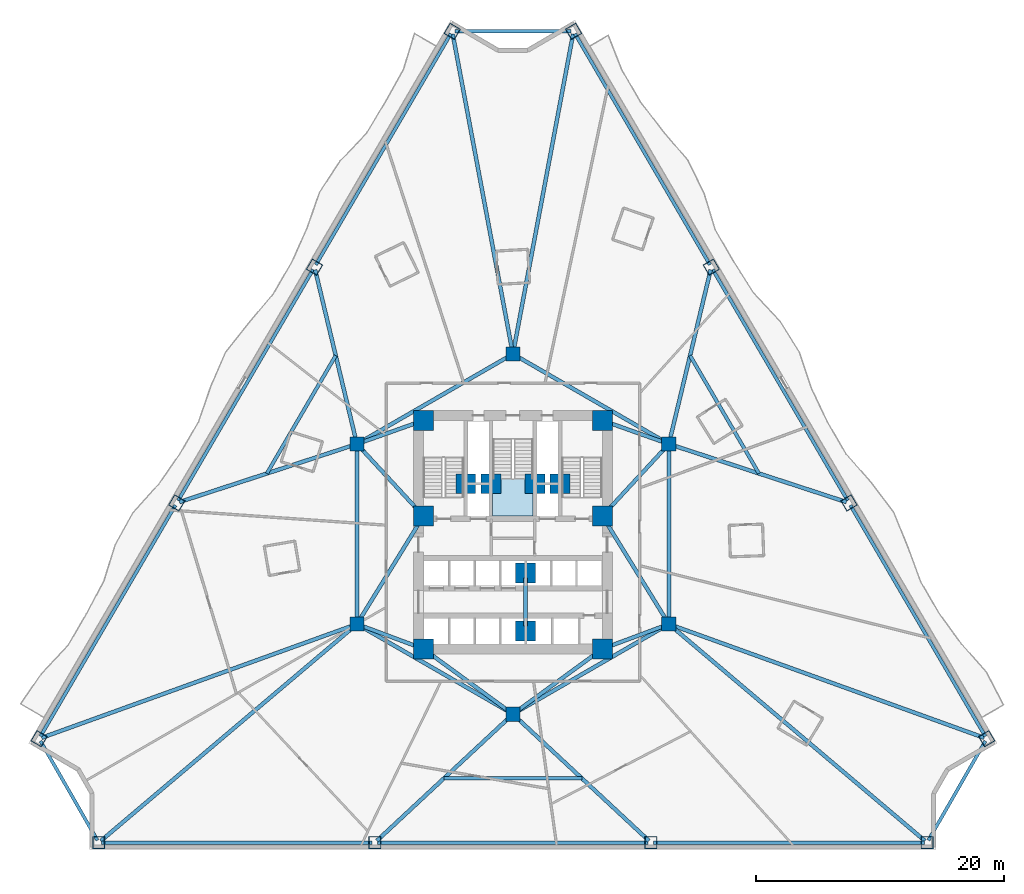
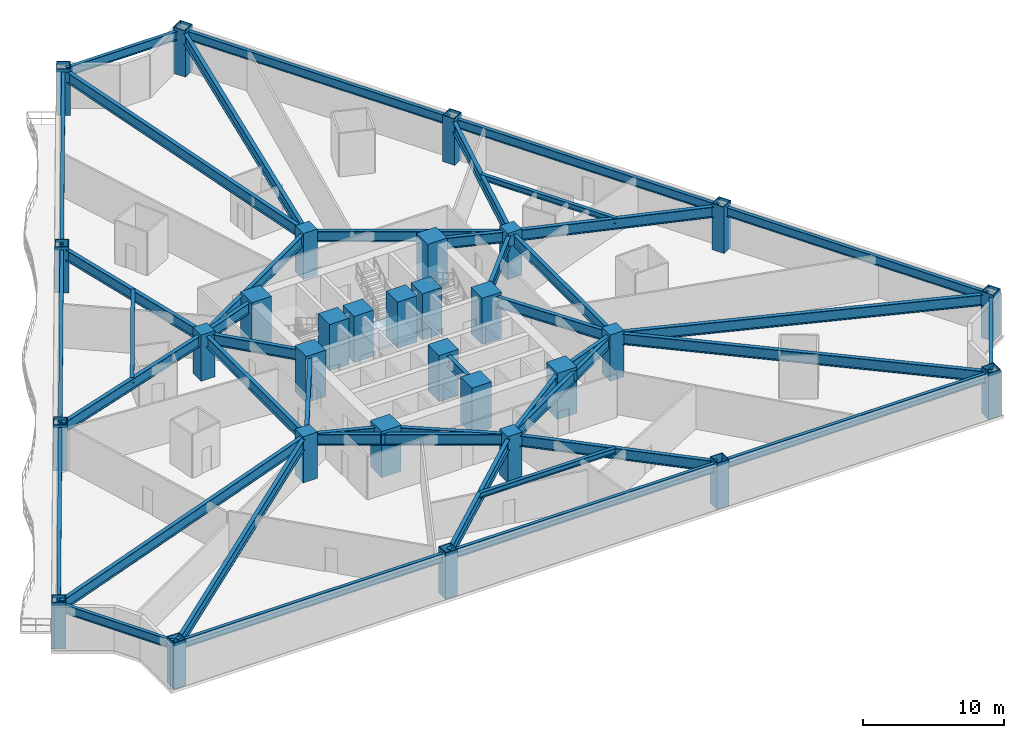
# One storey, part 1 of 11: 44 beams, 30 columns, 1 slab, 1 element without a shape of its own.
"""IFC4 building model written with IfcOpenShell, lengths in metres."""

import ifcopenshell
import ifcopenshell.guid

model = None  # the IFC model being written
_history = None  # IfcOwnerHistory: only IFC2X3 demands one
_inside = {}  # id of a spatial element -> (the spatial element, [elements in it])
_under = {}  # id of a project, library or spatial element -> (it, [spatial elements below it])
_declared = {}  # id of a project -> (the project, [libraries it declares])
_typed = {}  # id of a type object -> (the type object, [elements of that type])
_made_of = {}  # id of a material, layer set ... -> (it, [elements and type objects made of it])


def new_model(schema):
    """Start an empty IFC model of exactly this schema.

    Asked for "IFC4X3", IfcOpenShell would pick the latest addendum, in which some entities
    have other attributes; the version numbers below select the first issue.
    IFC2X3 requires an IfcOwnerHistory on every rooted entity: one is made here for all.
    """
    global model, _history
    if schema == "IFC4X3":
        model = ifcopenshell.file(schema_version=(4, 3, 0, 0))
    else:
        model = ifcopenshell.file(schema=schema)
    _inside.clear()
    _under.clear()
    _declared.clear()
    _typed.clear()
    _made_of.clear()
    _history = None
    if model.schema == "IFC2X3":
        org = make("IfcOrganization", Name="unknown")
        user = make(
            "IfcPersonAndOrganization",
            ThePerson=make("IfcPerson", FamilyName="unknown"),
            TheOrganization=org,
        )
        app = make(
            "IfcApplication",
            ApplicationDeveloper=org,
            Version="unknown",
            ApplicationFullName="unknown",
            ApplicationIdentifier="unknown",
        )
        _history = make(
            "IfcOwnerHistory",
            OwningUser=user,
            OwningApplication=app,
            ChangeAction="ADDED",
            CreationDate=0,
        )
    return model


def make(cls, **values):
    """One entity of the class cls with the attributes given. An attribute that is None is left unset."""
    return model.create_entity(
        cls, **{name: value for name, value in values.items() if value is not None}
    )


def rooted(cls, **values):
    """An entity with a GlobalId (a new one), such as an element, a storey or a relation."""
    return make(cls, GlobalId=ifcopenshell.guid.new(), OwnerHistory=_history, **values)


def si_unit(unit_type, name, prefix=None):
    """IfcSIUnit, for example si_unit("LENGTHUNIT", "METRE", prefix="MILLI")."""
    return make("IfcSIUnit", UnitType=unit_type, Prefix=prefix, Name=name)


def assignment(units):
    """IfcUnitAssignment: the units of a project."""
    return None if units is None else make("IfcUnitAssignment", Units=units)


def point(xyz):
    """IfcCartesianPoint."""
    return None if xyz is None else make("IfcCartesianPoint", Coordinates=xyz)


def direction(xyz):
    """IfcDirection."""
    return None if xyz is None else make("IfcDirection", DirectionRatios=xyz)


def frame(location, z_axis=None, x_axis=None):
    """IfcAxis2Placement3D, a coordinate frame: its origin and axes. An axis left out is left unset."""
    return make(
        "IfcAxis2Placement3D",
        Location=point(location),
        Axis=direction(z_axis),
        RefDirection=direction(x_axis),
    )


def frame_2d(location, x_axis=None):
    """IfcAxis2Placement2D, a coordinate frame in the plane: its origin and x axis."""
    return make(
        "IfcAxis2Placement2D", Location=point(location), RefDirection=direction(x_axis)
    )


def origin():
    """The frame at (0, 0, 0) with its axes left unset."""
    return frame((0.0, 0.0, 0.0))


def origin_2d():
    """The frame at (0, 0) in the plane with its x axis left unset."""
    return frame_2d((0.0, 0.0))


def place(relative_to, where):
    """IfcLocalPlacement: puts the frame where relative to a parent placement (None: the world)."""
    return make(
        "IfcLocalPlacement", PlacementRelTo=relative_to, RelativePlacement=where
    )


def context(
    kind, dimensions, precision=None, world=None, true_north=None, identifier=None
):
    """IfcGeometricRepresentationContext, for example the 3D "Model" context."""
    return make(
        "IfcGeometricRepresentationContext",
        ContextIdentifier=identifier,
        ContextType=kind,
        CoordinateSpaceDimension=dimensions,
        Precision=precision,
        WorldCoordinateSystem=world,
        TrueNorth=true_north,
    )


def subcontext(parent, identifier, kind, view, scale=None):
    """IfcGeometricRepresentationSubContext, for example "Body" below "Model"."""
    return make(
        "IfcGeometricRepresentationSubContext",
        ContextIdentifier=identifier,
        ContextType=kind,
        ParentContext=parent,
        TargetScale=scale,
        TargetView=view,
    )


def project(units=None, contexts=None):
    """IfcProject with its units and contexts."""
    return rooted(
        "IfcProject",
        Name="project",
        RepresentationContexts=contexts,
        UnitsInContext=assignment(units),
    )


def spatial(cls, under=None, at=None, **own):
    """A site, building, storey or space (cls), placed at a placement, below another one or the project."""
    s = rooted(cls, ObjectPlacement=at, **own)
    if under is not None:
        _under.setdefault(under.id(), (under, []))[1].append(s)
    return s


def polyline(points):
    """IfcPolyline through the points."""
    return make("IfcPolyline", Points=[point(p) for p in points])


def profile(cls, at=None, kind="AREA", **sizes):
    """A parametric profile (cls). Its sizes go by their IFC names, for example OverallWidth=200.0."""
    return make(cls, ProfileType=kind, Position=at, **sizes)


def rectangle(**sizes):
    """IfcRectangleProfileDef."""
    return profile("IfcRectangleProfileDef", **sizes)


def hollow_rectangle(**sizes):
    """IfcRectangleHollowProfileDef."""
    return profile("IfcRectangleHollowProfileDef", **sizes)


def i_section(**sizes):
    """IfcIShapeProfileDef."""
    return profile("IfcIShapeProfileDef", **sizes)


def outline(outer, holes=None, kind="AREA"):
    """IfcArbitraryClosedProfileDef: a profile drawn as a closed curve; with holes, ...WithVoids."""
    if holes is None:
        return make("IfcArbitraryClosedProfileDef", ProfileType=kind, OuterCurve=outer)
    return make(
        "IfcArbitraryProfileDefWithVoids",
        ProfileType=kind,
        OuterCurve=outer,
        InnerCurves=holes,
    )


def extrude(swept, where, along, depth):
    """IfcExtrudedAreaSolid: the profile swept, set in the frame where, extruded along a direction by depth."""
    return make(
        "IfcExtrudedAreaSolid",
        SweptArea=swept,
        Position=where,
        ExtrudedDirection=direction(along),
        Depth=depth,
    )


def shape(context_of_items, identifier, shape_type, items):
    """IfcShapeRepresentation: the items that make up one representation, for example the "Body"."""
    return make(
        "IfcShapeRepresentation",
        ContextOfItems=context_of_items,
        RepresentationIdentifier=identifier,
        RepresentationType=shape_type,
        Items=items,
    )


def material(Name=None, Category=None):
    """IfcMaterial."""
    return make("IfcMaterial", Name=Name, Category=Category)


def layer(
    of_material, thickness, ventilated=None, Name=None, Category=None, Priority=None
):
    """IfcMaterialLayer: one layer of a wall or slab, of a material (None: an air gap)."""
    return make(
        "IfcMaterialLayer",
        Material=of_material,
        LayerThickness=thickness,
        IsVentilated=ventilated,
        Name=Name,
        Category=Category,
        Priority=Priority,
    )


def layer_set(layers, Name=None):
    """IfcMaterialLayerSet."""
    return make("IfcMaterialLayerSet", MaterialLayers=layers, LayerSetName=Name)


def material_profile(
    of_material, cross_section, Name=None, Category=None, Priority=None
):
    """IfcMaterialProfile: a cross section and its material."""
    return make(
        "IfcMaterialProfile",
        Name=Name,
        Material=of_material,
        Profile=cross_section,
        Priority=Priority,
        Category=Category,
    )


def profile_set(profiles, Name=None, composite=None):
    """IfcMaterialProfileSet."""
    return make(
        "IfcMaterialProfileSet",
        Name=Name,
        MaterialProfiles=profiles,
        CompositeProfile=composite,
    )


def made_of(thing, what):
    """Note that an element or type object is made of a material, layer set ...; save() writes the relation."""
    if what is not None:
        _made_of.setdefault(what.id(), (what, []))[1].append(thing)
    return thing


def type_object(cls, material=None, **own):
    """A type object (cls), such as IfcWallType, which elements share."""
    return made_of(rooted(cls, **own), material)


def element(
    cls,
    number,
    at=None,
    inside=None,
    cuts=None,
    type_object=None,
    material=None,
    context=None,
    identifier="Body",
    shape_type=None,
    held_by="IfcProductDefinitionShape",
    body=None,
    shapes=None,
    **own,
):
    """One element of the class cls, such as IfcWall. Its Tag is "e" and its number.

    at: its placement. inside: the storey or other place that contains it. cuts: it is an
    opening in that element (IfcRelVoidsElement). A single representation is given by context,
    identifier, shape_type and body (its items); several are given by shapes. held_by: the class
    of the entity that holds the representations. save() writes the other relations.
    """
    e = rooted(cls, Tag="e%d" % number, ObjectPlacement=at, **own)
    if body is not None:
        shapes = [shape(context, identifier, shape_type, body)]
    if shapes is not None:
        e.Representation = make(held_by, Representations=shapes)
    if inside is not None:
        _inside.setdefault(inside.id(), (inside, []))[1].append(e)
    if cuts is not None:
        rooted(
            "IfcRelVoidsElement", RelatingBuildingElement=cuts, RelatedOpeningElement=e
        )
    if type_object is not None:
        _typed.setdefault(type_object.id(), (type_object, []))[1].append(e)
    return made_of(e, material)


def aggregate(whole, parts):
    """IfcRelAggregates: a whole, such as a stair, and the parts it consists of."""
    return rooted("IfcRelAggregates", RelatingObject=whole, RelatedObjects=parts)


def save(model, path):
    """Write the relations noted so far, then the file.

    IfcRelAggregates (storeys below a building ...), IfcRelContainedInSpatialStructure (elements
    in a storey), IfcRelDefinesByType, IfcRelAssociatesMaterial and IfcRelDeclares: one each for
    every whole, place, type object, material and project.
    """
    for whole, parts in _under.values():
        aggregate(whole, parts)
    for where, things in _inside.values():
        rooted(
            "IfcRelContainedInSpatialStructure",
            RelatedElements=things,
            RelatingStructure=where,
        )
    for kind, things in _typed.values():
        rooted("IfcRelDefinesByType", RelatedObjects=things, RelatingType=kind)
    for what, things in _made_of.values():
        rooted("IfcRelAssociatesMaterial", RelatedObjects=things, RelatingMaterial=what)
    for by, libraries in _declared.values():
        rooted("IfcRelDeclares", RelatingContext=by, RelatedDefinitions=libraries)
    model.write(path)


model = new_model("IFC4")

# Units and contexts
model_context = context("Model", 3, precision=1e-05, world=origin(), true_north=direction((0.0, 1.0)))
body_context = subcontext(model_context, "Body", "Model", "MODEL_VIEW")
ifc_project = project(units=[si_unit("LENGTHUNIT", "METRE"), si_unit("AREAUNIT", "SQUARE_METRE"), si_unit("VOLUMEUNIT", "CUBIC_METRE"), si_unit("PLANEANGLEUNIT", "RADIAN"), si_unit("MASSUNIT", "GRAM", prefix="KILO")], contexts=[model_context])

# Site, building, storey
site_placement = place(None, origin())
site = spatial("IfcSite", under=ifc_project, at=site_placement, CompositionType="ELEMENT")
building_placement = place(site_placement, origin())
building = spatial("IfcBuilding", under=site, at=building_placement, Name="Apsidion Concourse Tower", CompositionType="ELEMENT")
storey_placement = place(building_placement, frame((0.0, 0.0, 54.39990234375)))
storey = spatial("IfcBuildingStorey", under=building, at=storey_placement, Name="L11", CompositionType="ELEMENT", Elevation=54.39990234375)

# Columns
ifc_material_1 = material(Name="Structural steel ASTM A572 Grade 50", Category="steel")
ifc_material_profile_1 = material_profile(ifc_material_1, hollow_rectangle(XDim=1.0, YDim=1.0, WallThickness=0.06005859375, at=origin_2d()), Name="BOX1000X1000X60")
ifc_profile_set_1 = profile_set([ifc_material_profile_1], Name="Structural steel ASTM A572 Grade 50")
column_type_1 = type_object("IfcColumnType", Name="COL-BOX-1000", PredefinedType="COLUMN", material=ifc_profile_set_1)
for number, where, z_axis, x_axis, name in (
    (1, (-4.887451171875, 40.481201171875, 0.0), (0.0, 0.0, 1.0), (0.50437692518, 0.863483594138, 0.0), "L11 Rotated Perimeter Column PC01"),
    (2, (-15.976318359375, 21.49365234375, 0.0), (0.0, 0.0, 1.0), (0.50437692518, 0.863483594138, 0.0), "L11 Rotated Perimeter Column PC02"),
    (3, (-27.065185546875, 2.50634765625, 0.0), (0.0, 0.0, 1.0), (0.50437692518, 0.863483594138, 0.0), "L11 Rotated Perimeter Column PC03"),
    (4, (-38.154052734375, -16.481201171875, 0.0), (0.0, 0.0, 1.0), (0.50437692518, 0.863483594138, 0.0), "L11 Rotated Perimeter Column PC04"),
    (5, (-33.35009765625, -24.85009765625, 0.0), (0.0, 0.0, 1.0), (1.0, 0.0, 0.0), "L11 Rotated Perimeter Column PC05"),
    (6, (-11.11669921875, -24.85009765625, 0.0), (0.0, 0.0, 1.0), (1.0, 0.0, 0.0), "L11 Rotated Perimeter Column PC06"),
    (7, (11.11669921875, -24.85009765625, 0.0), (0.0, 0.0, 1.0), (1.0, 0.0, 0.0), "L11 Rotated Perimeter Column PC07"),
    (8, (33.35009765625, -24.85009765625, 0.0), (0.0, 0.0, 1.0), (1.0, 0.0, 0.0), "L11 Rotated Perimeter Column PC08"),
    (9, (38.154052734375, -16.481201171875, 0.0), (0.0, 0.0, 1.0), (-0.50437692518, 0.863483594138, 0.0), "L11 Rotated Perimeter Column PC09"),
    (10, (27.065185546875, 2.50634765625, 0.0), (0.0, 0.0, 1.0), (-0.50437692518, 0.863483594138, 0.0), "L11 Rotated Perimeter Column PC10"),
    (11, (15.976318359375, 21.49365234375, 0.0), (0.0, 0.0, 1.0), (-0.50437692518, 0.863483594138, 0.0), "L11 Rotated Perimeter Column PC11"),
    (12, (4.887451171875, 40.481201171875, 0.0), (0.0, 0.0, 1.0), (-0.50437692518, 0.863483594138, 0.0), "L11 Rotated Perimeter Column PC12"),
):
    element("IfcColumn", number, at=place(storey_placement, frame(where, z_axis=z_axis, x_axis=x_axis)), inside=storey, type_object=column_type_1, Name=name, PredefinedType="COLUMN", context=body_context, shape_type="SweptSolid", body=[
        extrude(hollow_rectangle(XDim=1.0, YDim=1.0, WallThickness=0.06005859375, at=origin_2d()), origin(), (0.0, 0.0, 1.0), 4.0),
    ])
ifc_material_2 = material(Name="Concrete C50/60", Category="concrete")
ifc_material_profile_2 = material_profile(ifc_material_2, rectangle(XDim=1.14990234375, YDim=1.14990234375, at=origin_2d()), Name="RC 1150x1150")
ifc_profile_set_2 = profile_set([ifc_material_profile_2], Name="Concrete C50/60")
column_type_2 = type_object("IfcColumnType", Name="COL-RC-1150", PredefinedType="COLUMN", material=ifc_profile_set_2)
for number, where, z_axis, x_axis, name in (
    (13, (-12.56005859375, -7.25, 0.0), (0.0, 0.0, 1.0), (1.0, 0.0, 0.0), "L11 Interior Spine Column IC1"),
    (14, (12.56005859375, -7.25, 0.0), (0.0, 0.0, 1.0), (1.0, 0.0, 0.0), "L11 Interior Spine Column IC2"),
    (15, (12.56005859375, 7.25, 0.0), (0.0, 0.0, 1.0), (1.0, 0.0, 0.0), "L11 Interior Spine Column IC3"),
    (16, (0.0, 14.5, 0.0), (0.0, 0.0, 1.0), (1.0, 0.0, 0.0), "L11 Interior Spine Column IC4"),
    (17, (-12.56005859375, 7.25, 0.0), (0.0, 0.0, 1.0), (1.0, 0.0, 0.0), "L11 Interior Spine Column IC5"),
    (18, (0.0, -14.5, 0.0), (0.0, 0.0, 1.0), (1.0, 0.0, 0.0), "L11 Interior Spine Column IC6"),
):
    element("IfcColumn", number, at=place(storey_placement, frame(where, z_axis=z_axis, x_axis=x_axis)), inside=storey, type_object=column_type_2, Name=name, PredefinedType="COLUMN", context=body_context, shape_type="SweptSolid", body=[
        extrude(rectangle(XDim=1.14990234375, YDim=1.14990234375, at=origin_2d()), origin(), (0.0, 0.0, 1.0), 4.0),
    ])
ifc_material_3 = material(Name="Concrete C60/75", Category="concrete")
ifc_material_profile_3 = material_profile(ifc_material_3, rectangle(XDim=1.60009765625, YDim=1.60009765625, at=origin_2d()), Name="RC 1600x1600")
ifc_profile_set_3 = profile_set([ifc_material_profile_3], Name="Concrete C60/75")
column_type_3 = type_object("IfcColumnType", Name="COL-RC-1600", PredefinedType="COLUMN", material=ifc_profile_set_3)
for number, where, z_axis, x_axis, name in (
    (19, (-7.199951171875, -9.25, 0.0), (0.0, 0.0, 1.0), (1.0, 0.0, 0.0), "L11 Core Super-Column SC1"),
    (20, (7.199951171875, -9.25, 0.0), (0.0, 0.0, 1.0), (1.0, 0.0, 0.0), "L11 Core Super-Column SC2"),
    (21, (7.199951171875, 1.449951171875, 0.0), (0.0, 0.0, 1.0), (1.0, 0.0, 0.0), "L11 Core Super-Column SC3"),
    (22, (7.199951171875, 9.14990234375, 0.0), (0.0, 0.0, 1.0), (1.0, 0.0, 0.0), "L11 Core Super-Column SC4"),
    (23, (-7.199951171875, 9.14990234375, 0.0), (0.0, 0.0, 1.0), (1.0, 0.0, 0.0), "L11 Core Super-Column SC5"),
    (24, (-7.199951171875, 1.449951171875, 0.0), (0.0, 0.0, 1.0), (1.0, 0.0, 0.0), "L11 Core Super-Column SC6"),
    (25, (-3.800048828125, 4.050048828125, 0.0), (0.0, 0.0, 1.0), (1.0, 0.0, 0.0), "L11 Core Super-Column CC1"),
    (26, (3.800048828125, 4.050048828125, 0.0), (0.0, 0.0, 1.0), (1.0, 0.0, 0.0), "L11 Core Super-Column CC2"),
    (27, (-1.77490234375, 4.050048828125, 0.0), (0.0, 0.0, 1.0), (1.0, 0.0, 0.0), "L11 Core Super-Column CC3"),
    (28, (1.77490234375, 4.050048828125, 0.0), (0.0, 0.0, 1.0), (1.0, 0.0, 0.0), "L11 Core Super-Column CC4"),
    (29, (1.02490234375, -3.14990234375, 0.0), (0.0, 0.0, 1.0), (1.0, 0.0, 0.0), "L11 Core Super-Column CC5"),
    (30, (1.02490234375, -7.800048828125, 0.0), (0.0, 0.0, 1.0), (1.0, 0.0, 0.0), "L11 Core Super-Column CC6"),
):
    element("IfcColumn", number, at=place(storey_placement, frame(where, z_axis=z_axis, x_axis=x_axis)), inside=storey, type_object=column_type_3, Name=name, PredefinedType="COLUMN", context=body_context, shape_type="SweptSolid", body=[
        extrude(rectangle(XDim=1.60009765625, YDim=1.60009765625, at=origin_2d()), origin(), (0.0, 0.0, 1.0), 4.0),
    ])

# Beams
ifc_material_4 = material(Name="Structural steel ASTM A992 Grade 50", Category="steel")
ifc_material_profile_4 = material_profile(ifc_material_4, i_section(OverallWidth=0.283935546875, OverallDepth=0.47607421875, WebThickness=0.014892578125, FlangeThickness=0.02392578125, at=origin_2d()), Name="W18X106")
ifc_profile_set_4 = profile_set([ifc_material_profile_4], Name="Structural steel ASTM A992 Grade 50")
beam_type_1 = type_object("IfcBeamType", Name="BM-FL-W18H", PredefinedType="BEAM", material=ifc_profile_set_4)
beam_1_placement = place(storey_placement, frame((-14.268310546875, 14.371826171875, 3.51220703125), z_axis=(-0.504293469124, -0.863532336974, 0.0), x_axis=(0.863532336974, -0.504293469124, 0.0)))
element("IfcBeam", 31, at=beam_1_placement, inside=storey, type_object=beam_type_1, Name="L11 Secondary Floor Beam SEC-F1", PredefinedType="BEAM", context=body_context, shape_type="SweptSolid", body=[
    extrude(i_section(OverallWidth=0.283935546875, OverallDepth=0.47607421875, WebThickness=0.014892578125, FlangeThickness=0.02392578125, at=origin_2d()), origin(), (0.0, 0.0, 1.0), 10.993896484375),
])
beam_2_placement = place(storey_placement, frame((-5.558349609375, -19.675048828125, 3.51220703125), z_axis=(1.0, 0.0, 0.0), x_axis=(0.0, 1.0, 0.0)))
element("IfcBeam", 32, at=beam_2_placement, inside=storey, type_object=beam_type_1, Name="L11 Secondary Floor Beam SEC-F2", PredefinedType="BEAM", context=body_context, shape_type="SweptSolid", body=[
    extrude(i_section(OverallWidth=0.283935546875, OverallDepth=0.47607421875, WebThickness=0.014892578125, FlangeThickness=0.02392578125, at=origin_2d()), origin(), (0.0, 0.0, 1.0), 11.11669921875),
])
beam_3_placement = place(storey_placement, frame((19.8125, 4.878173828125, 3.51220703125), z_axis=(-0.504293469124, 0.863532336974, 0.0), x_axis=(-0.863532336974, -0.504293469124, 0.0)))
element("IfcBeam", 33, at=beam_3_placement, inside=storey, type_object=beam_type_1, Name="L11 Secondary Floor Beam SEC-F3", PredefinedType="BEAM", context=body_context, shape_type="SweptSolid", body=[
    extrude(i_section(OverallWidth=0.283935546875, OverallDepth=0.47607421875, WebThickness=0.014892578125, FlangeThickness=0.02392578125, at=origin_2d()), origin(), (0.0, 0.0, 1.0), 10.993896484375),
])
ifc_material_profile_5 = material_profile(ifc_material_4, i_section(OverallWidth=0.31005859375, OverallDepth=0.931884765625, WebThickness=0.02099609375, FlangeThickness=0.034423828125, at=origin_2d()), Name="W36X210")
ifc_profile_set_5 = profile_set([ifc_material_profile_5], Name="Structural steel ASTM A992 Grade 50")
beam_type_2 = type_object("IfcBeamType", Name="BM-G-W36", PredefinedType="USERDEFINED", material=ifc_profile_set_5)
beam_4_placement = place(storey_placement, frame((-12.185302734375, -7.389892578125, 3.2841796875), z_axis=(0.936913021145, -0.349562570664, 0.0), x_axis=(0.349562570664, 0.936913021145, 0.0)))
element("IfcBeam", 34, at=beam_4_placement, inside=storey, type_object=beam_type_2, Name="L11 Core Coupling Girder IC1-SC1", ObjectType="GIRDER", PredefinedType="USERDEFINED", context=body_context, shape_type="SweptSolid", body=[
    extrude(i_section(OverallWidth=0.31005859375, OverallDepth=0.931884765625, WebThickness=0.02099609375, FlangeThickness=0.034423828125, at=origin_2d()), origin(), (0.0, 0.0, 1.0), 4.921142578125),
])
beam_5_placement = place(storey_placement, frame((-12.35009765625, -6.909423828125, 3.2841796875), z_axis=(0.524524009763, 0.851395656074, 0.0), x_axis=(-0.851395656074, 0.524524009763, 0.0)))
element("IfcBeam", 35, at=beam_5_placement, inside=storey, type_object=beam_type_2, Name="L11 Core Coupling Girder IC1-SC6", ObjectType="GIRDER", PredefinedType="USERDEFINED", context=body_context, shape_type="SweptSolid", body=[
    extrude(i_section(OverallWidth=0.31005859375, OverallDepth=0.931884765625, WebThickness=0.02099609375, FlangeThickness=0.034423828125, at=origin_2d()), origin(), (0.0, 0.0, 1.0), 9.41845703125),
])
beam_6_placement = place(storey_placement, frame((12.185302734375, -7.389892578125, 3.2841796875), z_axis=(-0.936913021145, -0.349562570664, 0.0), x_axis=(0.349562570664, -0.936913021145, 0.0)))
element("IfcBeam", 36, at=beam_6_placement, inside=storey, type_object=beam_type_2, Name="L11 Core Coupling Girder IC2-SC2", ObjectType="GIRDER", PredefinedType="USERDEFINED", context=body_context, shape_type="SweptSolid", body=[
    extrude(i_section(OverallWidth=0.31005859375, OverallDepth=0.931884765625, WebThickness=0.02099609375, FlangeThickness=0.034423828125, at=origin_2d()), origin(), (0.0, 0.0, 1.0), 4.921142578125),
])
beam_7_placement = place(storey_placement, frame((12.35009765625, -6.909423828125, 3.2841796875), z_axis=(-0.524524009763, 0.851395656074, 0.0), x_axis=(-0.851395656074, -0.524524009763, 0.0)))
element("IfcBeam", 37, at=beam_7_placement, inside=storey, type_object=beam_type_2, Name="L11 Core Coupling Girder IC2-SC3", ObjectType="GIRDER", PredefinedType="USERDEFINED", context=body_context, shape_type="SweptSolid", body=[
    extrude(i_section(OverallWidth=0.31005859375, OverallDepth=0.931884765625, WebThickness=0.02099609375, FlangeThickness=0.034423828125, at=origin_2d()), origin(), (0.0, 0.0, 1.0), 9.41845703125),
])
beam_8_placement = place(storey_placement, frame((12.28857421875, 6.956298828125, 3.2841796875), z_axis=(-0.678712876106, -0.73440372535, 0.0), x_axis=(0.73440372535, -0.678712876106, 0.0)))
element("IfcBeam", 38, at=beam_8_placement, inside=storey, type_object=beam_type_2, Name="L11 Core Coupling Girder IC3-SC3", ObjectType="GIRDER", PredefinedType="USERDEFINED", context=body_context, shape_type="SweptSolid", body=[
    extrude(i_section(OverallWidth=0.31005859375, OverallDepth=0.931884765625, WebThickness=0.02099609375, FlangeThickness=0.034423828125, at=origin_2d()), origin(), (0.0, 0.0, 1.0), 7.097412109375),
])
beam_9_placement = place(storey_placement, frame((12.18310546875, 7.383544921875, 3.2841796875), z_axis=(-0.942533844539, 0.334110688094, 0.0), x_axis=(-0.334110688094, -0.942533844539, 0.0)))
element("IfcBeam", 39, at=beam_9_placement, inside=storey, type_object=beam_type_2, Name="L11 Core Coupling Girder IC3-SC4", ObjectType="GIRDER", PredefinedType="USERDEFINED", context=body_context, shape_type="SweptSolid", body=[
    extrude(i_section(OverallWidth=0.31005859375, OverallDepth=0.931884765625, WebThickness=0.02099609375, FlangeThickness=0.034423828125, at=origin_2d()), origin(), (0.0, 0.0, 1.0), 4.886962890625),
])
beam_10_placement = place(storey_placement, frame((-12.28857421875, 6.956298828125, 3.2841796875), z_axis=(0.678712876106, -0.73440372535, 0.0), x_axis=(0.73440372535, 0.678712876106, 0.0)))
element("IfcBeam", 40, at=beam_10_placement, inside=storey, type_object=beam_type_2, Name="L11 Core Coupling Girder IC5-SC6", ObjectType="GIRDER", PredefinedType="USERDEFINED", context=body_context, shape_type="SweptSolid", body=[
    extrude(i_section(OverallWidth=0.31005859375, OverallDepth=0.931884765625, WebThickness=0.02099609375, FlangeThickness=0.034423828125, at=origin_2d()), origin(), (0.0, 0.0, 1.0), 7.097412109375),
])
beam_11_placement = place(storey_placement, frame((-12.18310546875, 7.383544921875, 3.2841796875), z_axis=(0.942533844539, 0.334110688094, 0.0), x_axis=(-0.334110688094, 0.942533844539, 0.0)))
element("IfcBeam", 41, at=beam_11_placement, inside=storey, type_object=beam_type_2, Name="L11 Core Coupling Girder IC5-SC5", ObjectType="GIRDER", PredefinedType="USERDEFINED", context=body_context, shape_type="SweptSolid", body=[
    extrude(i_section(OverallWidth=0.31005859375, OverallDepth=0.931884765625, WebThickness=0.02099609375, FlangeThickness=0.034423828125, at=origin_2d()), origin(), (0.0, 0.0, 1.0), 4.886962890625),
])
for number, where, z_axis, x_axis, name in (
    (42, (-0.3232421875, -14.264404296875, 3.2841796875), (-0.807993498909, 0.589191399905, 0.0), (-0.589191399905, -0.807993498909, 0.0), "L11 Core Coupling Girder IC6-SC1"),
    (43, (0.3232421875, -14.264404296875, 3.2841796875), (0.807993498909, 0.589191399905, 0.0), (-0.589191399905, 0.807993498909, 0.0), "L11 Core Coupling Girder IC6-SC2"),
):
    element("IfcBeam", number, at=place(storey_placement, frame(where, z_axis=z_axis, x_axis=x_axis)), inside=storey, type_object=beam_type_2, Name=name, ObjectType="GIRDER", PredefinedType="USERDEFINED", context=body_context, shape_type="SweptSolid", body=[
        extrude(i_section(OverallWidth=0.31005859375, OverallDepth=0.931884765625, WebThickness=0.02099609375, FlangeThickness=0.034423828125, at=origin_2d()), origin(), (0.0, 0.0, 1.0), 8.11083984375),
    ])
beam_12_placement = place(storey_placement, frame((-12.56005859375, -6.85009765625, 3.2841796875), z_axis=(0.0, 1.0, 0.0), x_axis=(-1.0, 0.0, 0.0)))
element("IfcBeam", 44, at=beam_12_placement, inside=storey, type_object=beam_type_2, Name="L11 Core Coupling Girder IC1-IC5", ObjectType="GIRDER", PredefinedType="USERDEFINED", context=body_context, shape_type="SweptSolid", body=[
    extrude(i_section(OverallWidth=0.31005859375, OverallDepth=0.931884765625, WebThickness=0.02099609375, FlangeThickness=0.034423828125, at=origin_2d()), origin(), (0.0, 0.0, 1.0), 13.7001953125),
])
for number, where, z_axis, x_axis, name in (
    (45, (-12.213623046875, 7.449951171875, 3.2841796875), (0.866070471464, 0.499921932364, 0.0), (-0.499921932364, 0.866070471464, 0.0), "L11 Core Coupling Girder IC5-IC4"),
    (46, (0.346435546875, 14.300048828125, 3.2841796875), (0.866070471464, -0.499921932364, 0.0), (0.499921932364, 0.866070471464, 0.0), "L11 Core Coupling Girder IC4-IC3"),
):
    element("IfcBeam", number, at=place(storey_placement, frame(where, z_axis=z_axis, x_axis=x_axis)), inside=storey, type_object=beam_type_2, Name=name, ObjectType="GIRDER", PredefinedType="USERDEFINED", context=body_context, shape_type="SweptSolid", body=[
        extrude(i_section(OverallWidth=0.31005859375, OverallDepth=0.931884765625, WebThickness=0.02099609375, FlangeThickness=0.034423828125, at=origin_2d()), origin(), (0.0, 0.0, 1.0), 13.702392578125),
    ])
beam_13_placement = place(storey_placement, frame((12.56005859375, 6.85009765625, 3.2841796875), z_axis=(0.0, -1.0, 0.0), x_axis=(1.0, 0.0, 0.0)))
element("IfcBeam", 47, at=beam_13_placement, inside=storey, type_object=beam_type_2, Name="L11 Core Coupling Girder IC3-IC2", ObjectType="GIRDER", PredefinedType="USERDEFINED", context=body_context, shape_type="SweptSolid", body=[
    extrude(i_section(OverallWidth=0.31005859375, OverallDepth=0.931884765625, WebThickness=0.02099609375, FlangeThickness=0.034423828125, at=origin_2d()), origin(), (0.0, 0.0, 1.0), 13.7001953125),
])
for number, where, z_axis, x_axis, name in (
    (48, (12.213623046875, -7.449951171875, 3.2841796875), (-0.866070471464, -0.499921932364, 0.0), (0.499921932364, -0.866070471464, 0.0), "L11 Core Coupling Girder IC2-IC6"),
    (49, (-0.346435546875, -14.300048828125, 3.2841796875), (-0.866070471464, 0.499921932364, 0.0), (-0.499921932364, -0.866070471464, 0.0), "L11 Core Coupling Girder IC6-IC1"),
):
    element("IfcBeam", number, at=place(storey_placement, frame(where, z_axis=z_axis, x_axis=x_axis)), inside=storey, type_object=beam_type_2, Name=name, ObjectType="GIRDER", PredefinedType="USERDEFINED", context=body_context, shape_type="SweptSolid", body=[
        extrude(i_section(OverallWidth=0.31005859375, OverallDepth=0.931884765625, WebThickness=0.02099609375, FlangeThickness=0.034423828125, at=origin_2d()), origin(), (0.0, 0.0, 1.0), 13.702392578125),
    ])
beam_14_placement = place(storey_placement, frame((1.02490234375, -3.550048828125, 3.2841796875), z_axis=(0.0, -1.0, 0.0), x_axis=(1.0, 0.0, 0.0)))
element("IfcBeam", 50, at=beam_14_placement, inside=storey, type_object=beam_type_2, Name="L11 Core Coupling Girder CC5-CC6", ObjectType="GIRDER", PredefinedType="USERDEFINED", context=body_context, shape_type="SweptSolid", body=[
    extrude(i_section(OverallWidth=0.31005859375, OverallDepth=0.931884765625, WebThickness=0.02099609375, FlangeThickness=0.034423828125, at=origin_2d()), origin(), (0.0, 0.0, 1.0), 3.849853515625),
])
beam_15_placement = place(storey_placement, frame((-0.040771484375, 14.71630859375, 3.2841796875), z_axis=(-0.184866293989, 0.982763681333, 0.0), x_axis=(-0.982763681333, -0.184866293989, 0.0)))
element("IfcBeam", 51, at=beam_15_placement, inside=storey, type_object=beam_type_2, Name="L11 Radial Floor Girder RAD-01", ObjectType="GIRDER", PredefinedType="USERDEFINED", context=body_context, shape_type="SweptSolid", body=[
    extrude(i_section(OverallWidth=0.31005859375, OverallDepth=0.931884765625, WebThickness=0.02099609375, FlangeThickness=0.034423828125, at=origin_2d()), origin(), (0.0, 0.0, 1.0), 25.99658203125),
])
beam_16_placement = place(storey_placement, frame((-12.611328125, 7.4638671875, 3.2841796875), z_axis=(-0.233233219452, 0.972420827288, 0.0), x_axis=(-0.972420827288, -0.233233219452, 0.0)))
element("IfcBeam", 52, at=beam_16_placement, inside=storey, type_object=beam_type_2, Name="L11 Radial Floor Girder RAD-02", ObjectType="GIRDER", PredefinedType="USERDEFINED", context=body_context, shape_type="SweptSolid", body=[
    extrude(i_section(OverallWidth=0.31005859375, OverallDepth=0.931884765625, WebThickness=0.02099609375, FlangeThickness=0.034423828125, at=origin_2d()), origin(), (0.0, 0.0, 1.0), 14.207763671875),
])
beam_17_placement = place(storey_placement, frame((-12.76904296875, 7.181640625, 3.2841796875), z_axis=(-0.950465100465, -0.310831293145, 0.0), x_axis=(0.310831293145, -0.950465100465, 0.0)))
element("IfcBeam", 53, at=beam_17_placement, inside=storey, type_object=beam_type_2, Name="L11 Radial Floor Girder RAD-03", ObjectType="GIRDER", PredefinedType="USERDEFINED", context=body_context, shape_type="SweptSolid", body=[
    extrude(i_section(OverallWidth=0.31005859375, OverallDepth=0.931884765625, WebThickness=0.02099609375, FlangeThickness=0.034423828125, at=origin_2d()), origin(), (0.0, 0.0, 1.0), 14.8212890625),
])
beam_18_placement = place(storey_placement, frame((-12.76708984375, -7.32470703125, 3.2841796875), z_axis=(-0.940684701446, -0.339282024968, 0.0), x_axis=(0.339282024968, -0.940684701446, 0.0)))
element("IfcBeam", 54, at=beam_18_placement, inside=storey, type_object=beam_type_2, Name="L11 Radial Floor Girder RAD-04", ObjectType="GIRDER", PredefinedType="USERDEFINED", context=body_context, shape_type="SweptSolid", body=[
    extrude(i_section(OverallWidth=0.31005859375, OverallDepth=0.931884765625, WebThickness=0.02099609375, FlangeThickness=0.034423828125, at=origin_2d()), origin(), (0.0, 0.0, 1.0), 26.767578125),
])
beam_19_placement = place(storey_placement, frame((-12.727783203125, -7.39208984375, 3.2841796875), z_axis=(-0.763231804576, -0.646124765416, 0.0), x_axis=(0.646124765416, -0.763231804576, 0.0)))
element("IfcBeam", 55, at=beam_19_placement, inside=storey, type_object=beam_type_2, Name="L11 Radial Floor Girder RAD-05", ObjectType="GIRDER", PredefinedType="USERDEFINED", context=body_context, shape_type="SweptSolid", body=[
    extrude(i_section(OverallWidth=0.31005859375, OverallDepth=0.931884765625, WebThickness=0.02099609375, FlangeThickness=0.034423828125, at=origin_2d()), origin(), (0.0, 0.0, 1.0), 26.799560546875),
])
for number, where, z_axis, x_axis, name in (
    (56, (-0.160888671875, -14.64990234375, 3.2841796875), (-0.731899098402, -0.681413024353, 0.0), (0.681413024353, -0.731899098402, 0.0), "L11 Radial Floor Girder RAD-06"),
    (57, (0.160888671875, -14.64990234375, 3.2841796875), (0.731899098402, -0.681413024353, 0.0), (0.681413024353, 0.731899098402, 0.0), "L11 Radial Floor Girder RAD-07"),
):
    element("IfcBeam", number, at=place(storey_placement, frame(where, z_axis=z_axis, x_axis=x_axis)), inside=storey, type_object=beam_type_2, Name=name, ObjectType="GIRDER", PredefinedType="USERDEFINED", context=body_context, shape_type="SweptSolid", body=[
        extrude(i_section(OverallWidth=0.31005859375, OverallDepth=0.931884765625, WebThickness=0.02099609375, FlangeThickness=0.034423828125, at=origin_2d()), origin(), (0.0, 0.0, 1.0), 14.749267578125),
    ])
beam_20_placement = place(storey_placement, frame((12.727783203125, -7.39208984375, 3.2841796875), z_axis=(0.763231804576, -0.646124765416, 0.0), x_axis=(0.646124765416, 0.763231804576, 0.0)))
element("IfcBeam", 58, at=beam_20_placement, inside=storey, type_object=beam_type_2, Name="L11 Radial Floor Girder RAD-08", ObjectType="GIRDER", PredefinedType="USERDEFINED", context=body_context, shape_type="SweptSolid", body=[
    extrude(i_section(OverallWidth=0.31005859375, OverallDepth=0.931884765625, WebThickness=0.02099609375, FlangeThickness=0.034423828125, at=origin_2d()), origin(), (0.0, 0.0, 1.0), 26.799560546875),
])
beam_21_placement = place(storey_placement, frame((12.76708984375, -7.32470703125, 3.2841796875), z_axis=(0.940684701446, -0.339282024968, 0.0), x_axis=(0.339282024968, 0.940684701446, 0.0)))
element("IfcBeam", 59, at=beam_21_placement, inside=storey, type_object=beam_type_2, Name="L11 Radial Floor Girder RAD-09", ObjectType="GIRDER", PredefinedType="USERDEFINED", context=body_context, shape_type="SweptSolid", body=[
    extrude(i_section(OverallWidth=0.31005859375, OverallDepth=0.931884765625, WebThickness=0.02099609375, FlangeThickness=0.034423828125, at=origin_2d()), origin(), (0.0, 0.0, 1.0), 26.767578125),
])
beam_22_placement = place(storey_placement, frame((12.76904296875, 7.181640625, 3.2841796875), z_axis=(0.950465100465, -0.310831293145, 0.0), x_axis=(0.310831293145, 0.950465100465, 0.0)))
element("IfcBeam", 60, at=beam_22_placement, inside=storey, type_object=beam_type_2, Name="L11 Radial Floor Girder RAD-10", ObjectType="GIRDER", PredefinedType="USERDEFINED", context=body_context, shape_type="SweptSolid", body=[
    extrude(i_section(OverallWidth=0.31005859375, OverallDepth=0.931884765625, WebThickness=0.02099609375, FlangeThickness=0.034423828125, at=origin_2d()), origin(), (0.0, 0.0, 1.0), 14.8212890625),
])
beam_23_placement = place(storey_placement, frame((12.611328125, 7.4638671875, 3.2841796875), z_axis=(0.233233219452, 0.972420827288, 0.0), x_axis=(-0.972420827288, 0.233233219452, 0.0)))
element("IfcBeam", 61, at=beam_23_placement, inside=storey, type_object=beam_type_2, Name="L11 Radial Floor Girder RAD-11", ObjectType="GIRDER", PredefinedType="USERDEFINED", context=body_context, shape_type="SweptSolid", body=[
    extrude(i_section(OverallWidth=0.31005859375, OverallDepth=0.931884765625, WebThickness=0.02099609375, FlangeThickness=0.034423828125, at=origin_2d()), origin(), (0.0, 0.0, 1.0), 14.207763671875),
])
beam_24_placement = place(storey_placement, frame((0.040771484375, 14.71630859375, 3.2841796875), z_axis=(0.184866293989, 0.982763681333, 0.0), x_axis=(-0.982763681333, 0.184866293989, 0.0)))
element("IfcBeam", 62, at=beam_24_placement, inside=storey, type_object=beam_type_2, Name="L11 Radial Floor Girder RAD-12", ObjectType="GIRDER", PredefinedType="USERDEFINED", context=body_context, shape_type="SweptSolid", body=[
    extrude(i_section(OverallWidth=0.31005859375, OverallDepth=0.931884765625, WebThickness=0.02099609375, FlangeThickness=0.034423828125, at=origin_2d()), origin(), (0.0, 0.0, 1.0), 25.99658203125),
])
ifc_material_profile_6 = material_profile(ifc_material_4, i_section(OverallWidth=0.26806640625, OverallDepth=0.77001953125, WebThickness=0.015625, FlangeThickness=0.025390625, at=origin_2d()), Name="W30X132")
ifc_profile_set_6 = profile_set([ifc_material_profile_6], Name="Structural steel ASTM A992 Grade 50")
beam_type_3 = type_object("IfcBeamType", Name="BM-SP-W30", PredefinedType="SPANDREL", material=ifc_profile_set_6)
for number, where, z_axis, x_axis, name in (
    (63, (-4.998291015625, 40.291015625, 3.364990234375), (-0.504316170532, -0.863519079198, 0.0), (0.863519079198, -0.504316170532, 0.0), "L11 Perimeter Spandrel Girder SP-01"),
    (64, (-16.087158203125, 21.3037109375, 3.364990234375), (-0.504316170532, -0.863519079198, 0.0), (0.863519079198, -0.504316170532, 0.0), "L11 Perimeter Spandrel Girder SP-02"),
    (65, (-27.176025390625, 2.31640625, 3.364990234375), (-0.504316170532, -0.863519079198, 0.0), (0.863519079198, -0.504316170532, 0.0), "L11 Perimeter Spandrel Girder SP-03"),
):
    element("IfcBeam", number, at=place(storey_placement, frame(where, z_axis=z_axis, x_axis=x_axis)), inside=storey, type_object=beam_type_3, Name=name, PredefinedType="SPANDREL", context=body_context, shape_type="SweptSolid", body=[
        extrude(i_section(OverallWidth=0.26806640625, OverallDepth=0.77001953125, WebThickness=0.015625, FlangeThickness=0.025390625, at=origin_2d()), origin(), (0.0, 0.0, 1.0), 21.54833984375),
    ])
beam_25_placement = place(storey_placement, frame((-38.04443359375, -16.671875, 3.364990234375), z_axis=(0.497839457155, -0.867269205553, 0.0), x_axis=(0.867269205553, 0.497839457155, 0.0)))
element("IfcBeam", 66, at=beam_25_placement, inside=storey, type_object=beam_type_3, Name="L11 Perimeter Spandrel Girder SP-04", PredefinedType="SPANDREL", context=body_context, shape_type="SweptSolid", body=[
    extrude(i_section(OverallWidth=0.26806640625, OverallDepth=0.77001953125, WebThickness=0.015625, FlangeThickness=0.025390625, at=origin_2d()), origin(), (0.0, 0.0, 1.0), 9.209716796875),
])
beam_26_placement = place(storey_placement, frame((-33.1298828125, -24.85009765625, 3.364990234375), z_axis=(1.0, 0.0, 0.0), x_axis=(0.0, 1.0, 0.0)))
element("IfcBeam", 67, at=beam_26_placement, inside=storey, type_object=beam_type_3, Name="L11 Perimeter Spandrel Girder SP-05", PredefinedType="SPANDREL", context=body_context, shape_type="SweptSolid", body=[
    extrude(i_section(OverallWidth=0.26806640625, OverallDepth=0.77001953125, WebThickness=0.015625, FlangeThickness=0.025390625, at=origin_2d()), origin(), (0.0, 0.0, 1.0), 21.793212890625),
])
beam_27_placement = place(storey_placement, frame((-10.896728515625, -24.85009765625, 3.364990234375), z_axis=(1.0, 0.0, 0.0), x_axis=(0.0, 1.0, 0.0)))
element("IfcBeam", 68, at=beam_27_placement, inside=storey, type_object=beam_type_3, Name="L11 Perimeter Spandrel Girder SP-06", PredefinedType="SPANDREL", context=body_context, shape_type="SweptSolid", body=[
    extrude(i_section(OverallWidth=0.26806640625, OverallDepth=0.77001953125, WebThickness=0.015625, FlangeThickness=0.025390625, at=origin_2d()), origin(), (0.0, 0.0, 1.0), 21.79345703125),
])
beam_28_placement = place(storey_placement, frame((11.336669921875, -24.85009765625, 3.364990234375), z_axis=(1.0, 0.0, 0.0), x_axis=(0.0, 1.0, 0.0)))
element("IfcBeam", 69, at=beam_28_placement, inside=storey, type_object=beam_type_3, Name="L11 Perimeter Spandrel Girder SP-07", PredefinedType="SPANDREL", context=body_context, shape_type="SweptSolid", body=[
    extrude(i_section(OverallWidth=0.26806640625, OverallDepth=0.77001953125, WebThickness=0.015625, FlangeThickness=0.025390625, at=origin_2d()), origin(), (0.0, 0.0, 1.0), 21.793212890625),
])
beam_29_placement = place(storey_placement, frame((33.45947265625, -24.6591796875, 3.364990234375), z_axis=(0.497839457155, 0.867269205553, 0.0), x_axis=(-0.867269205553, 0.497839457155, 0.0)))
element("IfcBeam", 70, at=beam_29_placement, inside=storey, type_object=beam_type_3, Name="L11 Perimeter Spandrel Girder SP-08", PredefinedType="SPANDREL", context=body_context, shape_type="SweptSolid", body=[
    extrude(i_section(OverallWidth=0.26806640625, OverallDepth=0.77001953125, WebThickness=0.015625, FlangeThickness=0.025390625, at=origin_2d()), origin(), (0.0, 0.0, 1.0), 9.209716796875),
])
for number, where, z_axis, x_axis, name in (
    (71, (38.043212890625, -16.291015625, 3.364990234375), (-0.504316170532, 0.863519079198, 0.0), (-0.863519079198, -0.504316170532, 0.0), "L11 Perimeter Spandrel Girder SP-09"),
    (72, (26.954345703125, 2.6962890625, 3.364990234375), (-0.504316170532, 0.863519079198, 0.0), (-0.863519079198, -0.504316170532, 0.0), "L11 Perimeter Spandrel Girder SP-10"),
    (73, (15.865478515625, 21.68359375, 3.364990234375), (-0.504316170532, 0.863519079198, 0.0), (-0.863519079198, -0.504316170532, 0.0), "L11 Perimeter Spandrel Girder SP-11"),
):
    element("IfcBeam", number, at=place(storey_placement, frame(where, z_axis=z_axis, x_axis=x_axis)), inside=storey, type_object=beam_type_3, Name=name, PredefinedType="SPANDREL", context=body_context, shape_type="SweptSolid", body=[
        extrude(i_section(OverallWidth=0.26806640625, OverallDepth=0.77001953125, WebThickness=0.015625, FlangeThickness=0.025390625, at=origin_2d()), origin(), (0.0, 0.0, 1.0), 21.54833984375),
    ])
beam_30_placement = place(storey_placement, frame((4.66748046875, 40.481201171875, 3.364990234375), z_axis=(-1.0, 0.0, 0.0), x_axis=(0.0, -1.0, 0.0)))
element("IfcBeam", 74, at=beam_30_placement, inside=storey, type_object=beam_type_3, Name="L11 Perimeter Spandrel Girder SP-12", PredefinedType="SPANDREL", context=body_context, shape_type="SweptSolid", body=[
    extrude(i_section(OverallWidth=0.26806640625, OverallDepth=0.77001953125, WebThickness=0.015625, FlangeThickness=0.025390625, at=origin_2d()), origin(), (0.0, 0.0, 1.0), 9.3349609375),
])

# Stair, slab
ifc_material_5 = material(Name="Precast concrete C40/50", Category="concrete")
stair_type = type_object("IfcStairType", Name="ST-DL-1550", PredefinedType="HALF_TURN_STAIR", material=ifc_material_5)
stair_placement = place(storey_placement, origin())
stair = element("IfcStair", 75, at=stair_placement, inside=storey, type_object=stair_type, Name="L11 Protected Core Exit Stair ST3", PredefinedType="HALF_TURN_STAIR")
ifc_layer = layer(ifc_material_2, 0.199951171875)
ifc_layer_set = layer_set([ifc_layer], Name="Concrete C50/60")
slab_type = type_object("IfcSlabType", Name="SL-ST-LAND-200", PredefinedType="LANDING", material=ifc_layer_set)
slab_placement = place(storey_placement, frame((0.0, 0.0, 1.800048828125)))
slab = element("IfcSlab", 76, at=slab_placement, type_object=slab_type, Name="ST3 landing 1", PredefinedType="LANDING", context=body_context, shape_type="SweptSolid", body=[
    extrude(outline(polyline([(-1.625, 4.465087890625), (-1.625, 1.449951171875), (1.625, 1.449951171875), (1.625, 4.465087890625), (-1.625, 4.465087890625)])), origin(), (0.0, 0.0, 1.0), 0.199951171875),
])
aggregate(stair, [slab])

save(model, "model.ifc")
